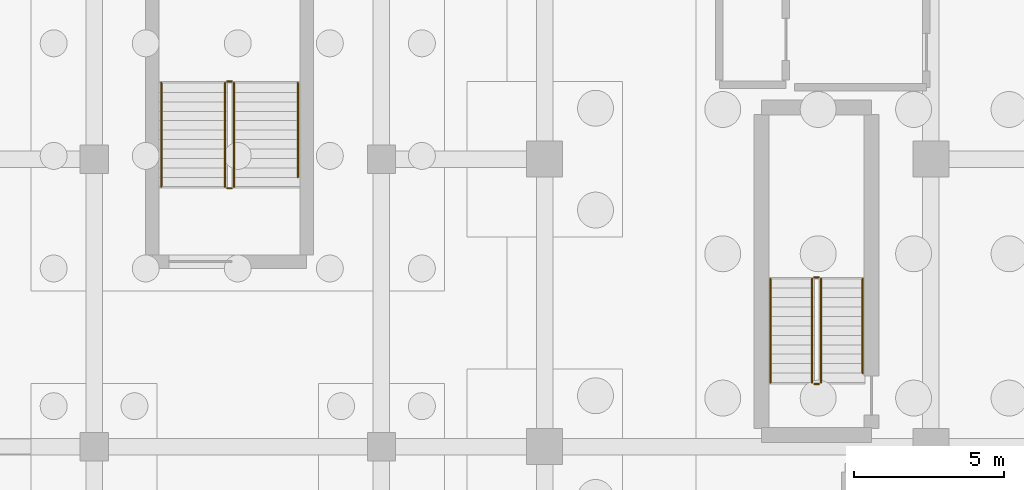
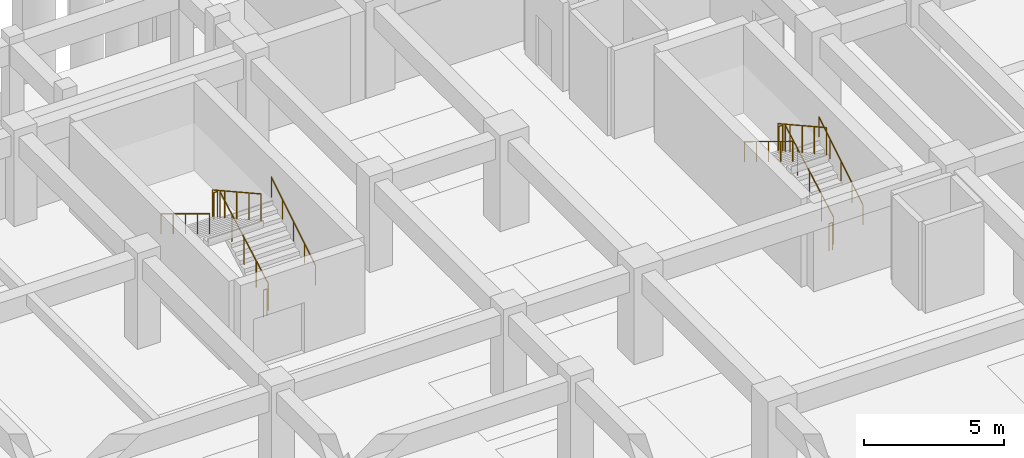
# One storey, part 38 of 39: 12 railings.
"""IFC4 building model written with IfcOpenShell, lengths in metres."""

from ifc_helpers import new_model, si_unit, direction, frame, origin, origin_2d, place, context, subcontext, project, spatial, circle, extrude, material, type_object, element, save


model = new_model("IFC4")

# Units and contexts
model_context = context("Model", 3, precision=1e-05, world=origin(), true_north=direction((0.0, 1.0)))
body_context = subcontext(model_context, "Body", "Model", "MODEL_VIEW")
ifc_project = project(units=[si_unit("LENGTHUNIT", "METRE"), si_unit("AREAUNIT", "SQUARE_METRE"), si_unit("VOLUMEUNIT", "CUBIC_METRE"), si_unit("PLANEANGLEUNIT", "RADIAN"), si_unit("MASSUNIT", "GRAM", prefix="KILO")], contexts=[model_context])

# Site, building, storey
site_placement = place(None, origin())
site = spatial("IfcSite", under=ifc_project, at=site_placement, CompositionType="ELEMENT")
building_placement = place(site_placement, origin())
building = spatial("IfcBuilding", under=site, at=building_placement, Name="Nakhvara Creek Congress Hotel", CompositionType="ELEMENT")
storey_placement = place(building_placement, frame((0.0, 0.0, -8.39990234375)))
storey = spatial("IfcBuildingStorey", under=building, at=storey_placement, Name="B2", CompositionType="ELEMENT", Elevation=-8.39990234375)

# Railings
ifc_material = material(Name="Brushed stainless steel 316L", Category="steel")
railing_type_1 = type_object("IfcRailingType", Name="RL-GUARD-1200", PredefinedType="GUARDRAIL", material=ifc_material)
railing_1_placement = place(storey_placement, frame((158.68505859375, 78.93994140625, 0.1748046875)))
element("IfcRailing", 1, at=railing_1_placement, inside=storey, type_object=railing_type_1, Name="B2 ST01 stair guard 1", PredefinedType="GUARDRAIL", context=body_context, shape_type="SweptSolid", body=[
    extrude(circle(Radius=0.02392578125, at=origin_2d()), frame((0.0, 0.012939453125, 1.18310546875), z_axis=(0.0, 0.874157276122, 0.485642931179), x_axis=(-1.0, 0.0, 0.0)), (0.0, 0.0, 1.0), 3.9345703125),
    extrude(circle(Radius=0.02099609375, at=origin_2d()), origin(), (0.0, 0.0, 1.0), 1.1806640625),
    extrude(circle(Radius=0.02099609375, at=origin_2d()), frame((0.0, 0.8662109375, 0.481201171875)), (0.0, 0.0, 1.0), 1.1806640625),
    extrude(circle(Radius=0.02099609375, at=origin_2d()), frame((0.0, 1.732421875, 0.96240234375)), (0.0, 0.0, 1.0), 1.1806640625),
    extrude(circle(Radius=0.02099609375, at=origin_2d()), frame((0.0, 2.598876953125, 1.44384765625)), (0.0, 0.0, 1.0), 1.1806640625),
    extrude(circle(Radius=0.02099609375, at=origin_2d()), frame((0.0, 3.465087890625, 1.925048828125)), (0.0, 0.0, 1.0), 1.1806640625),
])
railing_2_placement = place(storey_placement, frame((158.610107421875, 82.455078125, 2.099853515625)))
element("IfcRailing", 2, at=railing_2_placement, inside=storey, type_object=railing_type_1, Name="B2 ST01 stair guard 2", PredefinedType="GUARDRAIL", context=body_context, shape_type="SweptSolid", body=[
    extrude(circle(Radius=0.02392578125, at=origin_2d()), frame((-0.0146484375, 0.0, 1.17578125), z_axis=(-1.0, 0.0, 0.0), x_axis=(0.0, -1.0, 0.0)), (0.0, 0.0, 1.0), 0.120849609375),
    extrude(circle(Radius=0.02099609375, at=origin_2d()), origin(), (0.0, 0.0, 1.0), 1.1806640625),
    extrude(circle(Radius=0.02099609375, at=origin_2d()), frame((-0.150146484375, 0.0, 0.0)), (0.0, 0.0, 1.0), 1.1806640625),
])
railing_3_placement = place(storey_placement, frame((158.385009765625, 82.405029296875, 2.27490234375)))
element("IfcRailing", 3, at=railing_3_placement, inside=storey, type_object=railing_type_1, Name="B2 ST01 stair guard 3", PredefinedType="GUARDRAIL", context=body_context, shape_type="SweptSolid", body=[
    extrude(circle(Radius=0.02392578125, at=origin_2d()), frame((0.0, -0.012939453125, 1.18310546875), z_axis=(0.0, -0.874157276122, 0.485642931179), x_axis=(1.0, 0.0, 0.0)), (0.0, 0.0, 1.0), 3.9345703125),
    extrude(circle(Radius=0.02099609375, at=origin_2d()), origin(), (0.0, 0.0, 1.0), 1.1806640625),
    extrude(circle(Radius=0.02099609375, at=origin_2d()), frame((0.0, -0.8662109375, 0.481201171875)), (0.0, 0.0, 1.0), 1.1806640625),
    extrude(circle(Radius=0.02099609375, at=origin_2d()), frame((0.0, -1.732421875, 0.96240234375)), (0.0, 0.0, 1.0), 1.1806640625),
    extrude(circle(Radius=0.02099609375, at=origin_2d()), frame((0.0, -2.598876953125, 1.44384765625)), (0.0, 0.0, 1.0), 1.1806640625),
    extrude(circle(Radius=0.02099609375, at=origin_2d()), frame((0.0, -3.465087890625, 1.925048828125)), (0.0, 0.0, 1.0), 1.1806640625),
])
railing_4_placement = place(storey_placement, frame((158.610107421875, 78.889892578125, 0.0)))
element("IfcRailing", 4, at=railing_4_placement, inside=storey, type_object=railing_type_1, Name="B2 ST01 stair guard 4", PredefinedType="GUARDRAIL", context=body_context, shape_type="SweptSolid", body=[
    extrude(circle(Radius=0.02392578125, at=origin_2d()), frame((-0.0146484375, 0.0, 1.17578125), z_axis=(-1.0, 0.0, 0.0), x_axis=(0.0, -1.0, 0.0)), (0.0, 0.0, 1.0), 0.120849609375),
    extrude(circle(Radius=0.02099609375, at=origin_2d()), origin(), (0.0, 0.0, 1.0), 1.1806640625),
    extrude(circle(Radius=0.02099609375, at=origin_2d()), frame((-0.150146484375, 0.0, 0.0)), (0.0, 0.0, 1.0), 1.1806640625),
])
railing_5_placement = place(storey_placement, frame((139.074951171875, 85.47998046875, 0.1748046875)))
element("IfcRailing", 5, at=railing_5_placement, inside=storey, type_object=railing_type_1, Name="B2 ST10 stair guard 1", PredefinedType="GUARDRAIL", context=body_context, shape_type="SweptSolid", body=[
    extrude(circle(Radius=0.02392578125, at=origin_2d()), frame((0.0, 0.012939453125, 1.18310546875), z_axis=(0.0, 0.874157276122, 0.485642931179), x_axis=(-1.0, 0.0, 0.0)), (0.0, 0.0, 1.0), 3.9345703125),
    extrude(circle(Radius=0.02099609375, at=origin_2d()), origin(), (0.0, 0.0, 1.0), 1.1806640625),
    extrude(circle(Radius=0.02099609375, at=origin_2d()), frame((0.0, 0.8662109375, 0.481201171875)), (0.0, 0.0, 1.0), 1.1806640625),
    extrude(circle(Radius=0.02099609375, at=origin_2d()), frame((0.0, 1.732421875, 0.96240234375)), (0.0, 0.0, 1.0), 1.1806640625),
    extrude(circle(Radius=0.02099609375, at=origin_2d()), frame((0.0, 2.598876953125, 1.44384765625)), (0.0, 0.0, 1.0), 1.1806640625),
    extrude(circle(Radius=0.02099609375, at=origin_2d()), frame((0.0, 3.465087890625, 1.925048828125)), (0.0, 0.0, 1.0), 1.1806640625),
])
railing_6_placement = place(storey_placement, frame((139.0, 88.9951171875, 2.099853515625)))
element("IfcRailing", 6, at=railing_6_placement, inside=storey, type_object=railing_type_1, Name="B2 ST10 stair guard 2", PredefinedType="GUARDRAIL", context=body_context, shape_type="SweptSolid", body=[
    extrude(circle(Radius=0.02392578125, at=origin_2d()), frame((-0.0146484375, 0.0, 1.17578125), z_axis=(-1.0, 0.0, 0.0), x_axis=(0.0, -1.0, 0.0)), (0.0, 0.0, 1.0), 0.12060546875),
    extrude(circle(Radius=0.02099609375, at=origin_2d()), origin(), (0.0, 0.0, 1.0), 1.1806640625),
    extrude(circle(Radius=0.02099609375, at=origin_2d()), frame((-0.14990234375, 0.0, 0.0)), (0.0, 0.0, 1.0), 1.1806640625),
])
railing_7_placement = place(storey_placement, frame((138.77490234375, 88.945068359375, 2.27490234375)))
element("IfcRailing", 7, at=railing_7_placement, inside=storey, type_object=railing_type_1, Name="B2 ST10 stair guard 3", PredefinedType="GUARDRAIL", context=body_context, shape_type="SweptSolid", body=[
    extrude(circle(Radius=0.02392578125, at=origin_2d()), frame((0.0, -0.012939453125, 1.18310546875), z_axis=(0.0, -0.874157276122, 0.485642931179), x_axis=(1.0, 0.0, 0.0)), (0.0, 0.0, 1.0), 3.9345703125),
    extrude(circle(Radius=0.02099609375, at=origin_2d()), origin(), (0.0, 0.0, 1.0), 1.1806640625),
    extrude(circle(Radius=0.02099609375, at=origin_2d()), frame((0.0, -0.8662109375, 0.481201171875)), (0.0, 0.0, 1.0), 1.1806640625),
    extrude(circle(Radius=0.02099609375, at=origin_2d()), frame((0.0, -1.732421875, 0.96240234375)), (0.0, 0.0, 1.0), 1.1806640625),
    extrude(circle(Radius=0.02099609375, at=origin_2d()), frame((0.0, -2.598876953125, 1.44384765625)), (0.0, 0.0, 1.0), 1.1806640625),
    extrude(circle(Radius=0.02099609375, at=origin_2d()), frame((0.0, -3.465087890625, 1.925048828125)), (0.0, 0.0, 1.0), 1.1806640625),
])
railing_8_placement = place(storey_placement, frame((139.0, 85.429931640625, 0.0)))
element("IfcRailing", 8, at=railing_8_placement, inside=storey, type_object=railing_type_1, Name="B2 ST10 stair guard 4", PredefinedType="GUARDRAIL", context=body_context, shape_type="SweptSolid", body=[
    extrude(circle(Radius=0.02392578125, at=origin_2d()), frame((-0.0146484375, 0.0, 1.17578125), z_axis=(-1.0, 0.0, 0.0), x_axis=(0.0, -1.0, 0.0)), (0.0, 0.0, 1.0), 0.12060546875),
    extrude(circle(Radius=0.02099609375, at=origin_2d()), origin(), (0.0, 0.0, 1.0), 1.1806640625),
    extrude(circle(Radius=0.02099609375, at=origin_2d()), frame((-0.14990234375, 0.0, 0.0)), (0.0, 0.0, 1.0), 1.1806640625),
])
railing_type_2 = type_object("IfcRailingType", Name="RL-HAND-900", PredefinedType="HANDRAIL", material=ifc_material)
railing_9_placement = place(storey_placement, frame((160.074951171875, 79.2548828125, 0.349853515625)))
element("IfcRailing", 9, at=railing_9_placement, inside=storey, type_object=railing_type_2, Name="B2 ST01 stair handrail 1", PredefinedType="HANDRAIL", context=body_context, shape_type="SweptSolid", body=[
    extrude(circle(Radius=0.02392578125, at=origin_2d()), frame((0.0, 0.012451171875, 0.883544921875), z_axis=(0.0, 0.851961960065, 0.523603684672), x_axis=(-1.0, 0.0, 0.0)), (0.0, 0.0, 1.0), 3.668212890625),
    extrude(circle(Radius=0.02099609375, at=origin_2d()), origin(), (0.0, 0.0, 1.0), 0.880615234375),
    extrude(circle(Radius=0.02099609375, at=origin_2d()), frame((0.0, 0.78759765625, 0.48388671875)), (0.0, 0.0, 1.0), 0.880615234375),
    extrude(circle(Radius=0.02099609375, at=origin_2d()), frame((0.0, 1.5751953125, 0.968017578125)), (0.0, 0.0, 1.0), 0.880615234375),
    extrude(circle(Radius=0.02099609375, at=origin_2d()), frame((0.0, 2.362548828125, 1.4521484375)), (0.0, 0.0, 1.0), 0.880615234375),
    extrude(circle(Radius=0.02099609375, at=origin_2d()), frame((0.0, 3.150146484375, 1.93603515625)), (0.0, 0.0, 1.0), 0.880615234375),
])
railing_10_placement = place(storey_placement, frame((156.9951171875, 82.405029296875, 2.27490234375)))
element("IfcRailing", 10, at=railing_10_placement, inside=storey, type_object=railing_type_2, Name="B2 ST01 stair handrail 2", PredefinedType="HANDRAIL", context=body_context, shape_type="SweptSolid", body=[
    extrude(circle(Radius=0.02392578125, at=origin_2d()), frame((0.0, -0.012451171875, 0.883544921875), z_axis=(0.0, -0.853990507121, 0.520288586985), x_axis=(1.0, 0.0, 0.0)), (0.0, 0.0, 1.0), 4.028076171875),
    extrude(circle(Radius=0.02099609375, at=origin_2d()), origin(), (0.0, 0.0, 1.0), 0.880615234375),
    extrude(circle(Radius=0.02099609375, at=origin_2d()), frame((0.0, -0.8662109375, 0.52783203125)), (0.0, 0.0, 1.0), 0.880615234375),
    extrude(circle(Radius=0.02099609375, at=origin_2d()), frame((0.0, -1.732421875, 1.0556640625)), (0.0, 0.0, 1.0), 0.880615234375),
    extrude(circle(Radius=0.02099609375, at=origin_2d()), frame((0.0, -2.598876953125, 1.583251953125)), (0.0, 0.0, 1.0), 0.880615234375),
    extrude(circle(Radius=0.02099609375, at=origin_2d()), frame((0.0, -3.465087890625, 2.111083984375)), (0.0, 0.0, 1.0), 0.880615234375),
])
railing_11_placement = place(storey_placement, frame((141.205078125, 85.794921875, 0.349853515625)))
element("IfcRailing", 11, at=railing_11_placement, inside=storey, type_object=railing_type_2, Name="B2 ST10 stair handrail 1", PredefinedType="HANDRAIL", context=body_context, shape_type="SweptSolid", body=[
    extrude(circle(Radius=0.02392578125, at=origin_2d()), frame((0.0, 0.012451171875, 0.883544921875), z_axis=(0.0, 0.851961960065, 0.523603684672), x_axis=(-1.0, 0.0, 0.0)), (0.0, 0.0, 1.0), 3.668212890625),
    extrude(circle(Radius=0.02099609375, at=origin_2d()), origin(), (0.0, 0.0, 1.0), 0.880615234375),
    extrude(circle(Radius=0.02099609375, at=origin_2d()), frame((0.0, 0.78759765625, 0.48388671875)), (0.0, 0.0, 1.0), 0.880615234375),
    extrude(circle(Radius=0.02099609375, at=origin_2d()), frame((0.0, 1.5751953125, 0.968017578125)), (0.0, 0.0, 1.0), 0.880615234375),
    extrude(circle(Radius=0.02099609375, at=origin_2d()), frame((0.0, 2.362548828125, 1.4521484375)), (0.0, 0.0, 1.0), 0.880615234375),
    extrude(circle(Radius=0.02099609375, at=origin_2d()), frame((0.0, 3.150146484375, 1.93603515625)), (0.0, 0.0, 1.0), 0.880615234375),
])
railing_12_placement = place(storey_placement, frame((136.64501953125, 88.945068359375, 2.27490234375)))
element("IfcRailing", 12, at=railing_12_placement, inside=storey, type_object=railing_type_2, Name="B2 ST10 stair handrail 2", PredefinedType="HANDRAIL", context=body_context, shape_type="SweptSolid", body=[
    extrude(circle(Radius=0.02392578125, at=origin_2d()), frame((0.0, -0.012451171875, 0.883544921875), z_axis=(0.0, -0.853990507121, 0.520288586985), x_axis=(1.0, 0.0, 0.0)), (0.0, 0.0, 1.0), 4.028076171875),
    extrude(circle(Radius=0.02099609375, at=origin_2d()), origin(), (0.0, 0.0, 1.0), 0.880615234375),
    extrude(circle(Radius=0.02099609375, at=origin_2d()), frame((0.0, -0.8662109375, 0.52783203125)), (0.0, 0.0, 1.0), 0.880615234375),
    extrude(circle(Radius=0.02099609375, at=origin_2d()), frame((0.0, -1.732421875, 1.0556640625)), (0.0, 0.0, 1.0), 0.880615234375),
    extrude(circle(Radius=0.02099609375, at=origin_2d()), frame((0.0, -2.598876953125, 1.583251953125)), (0.0, 0.0, 1.0), 0.880615234375),
    extrude(circle(Radius=0.02099609375, at=origin_2d()), frame((0.0, -3.465087890625, 2.111083984375)), (0.0, 0.0, 1.0), 0.880615234375),
])

save(model, "model.ifc")
